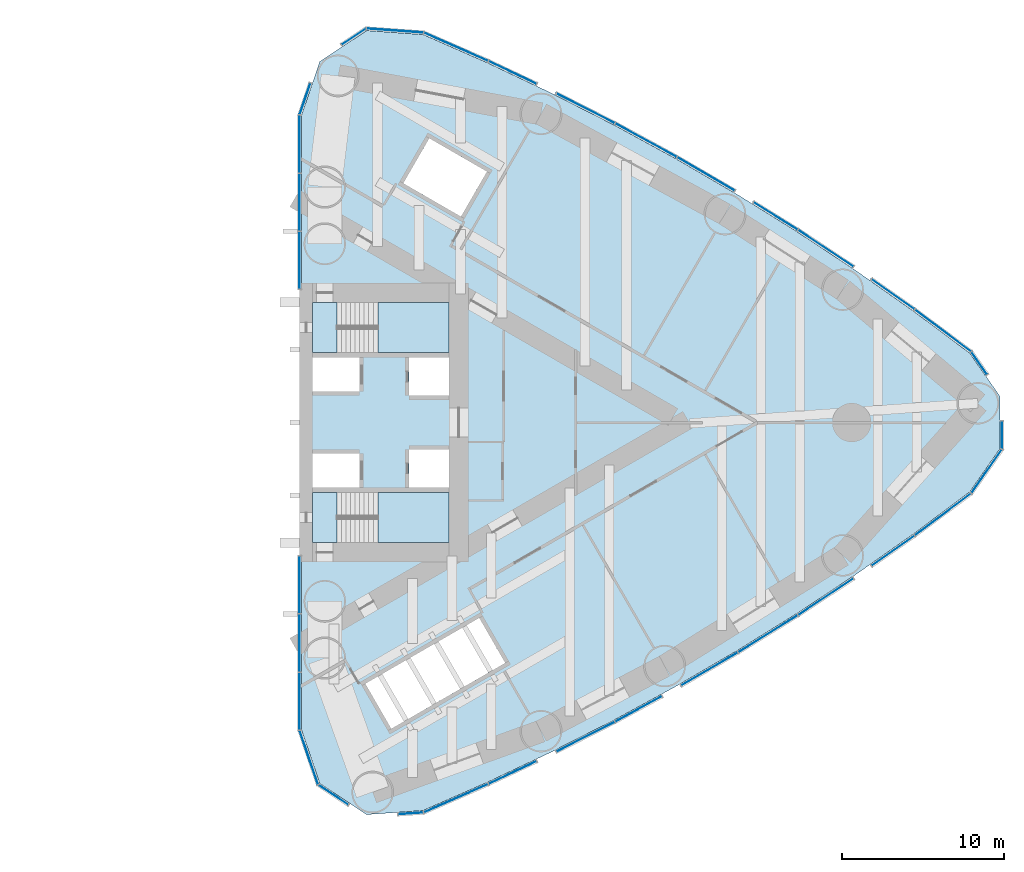
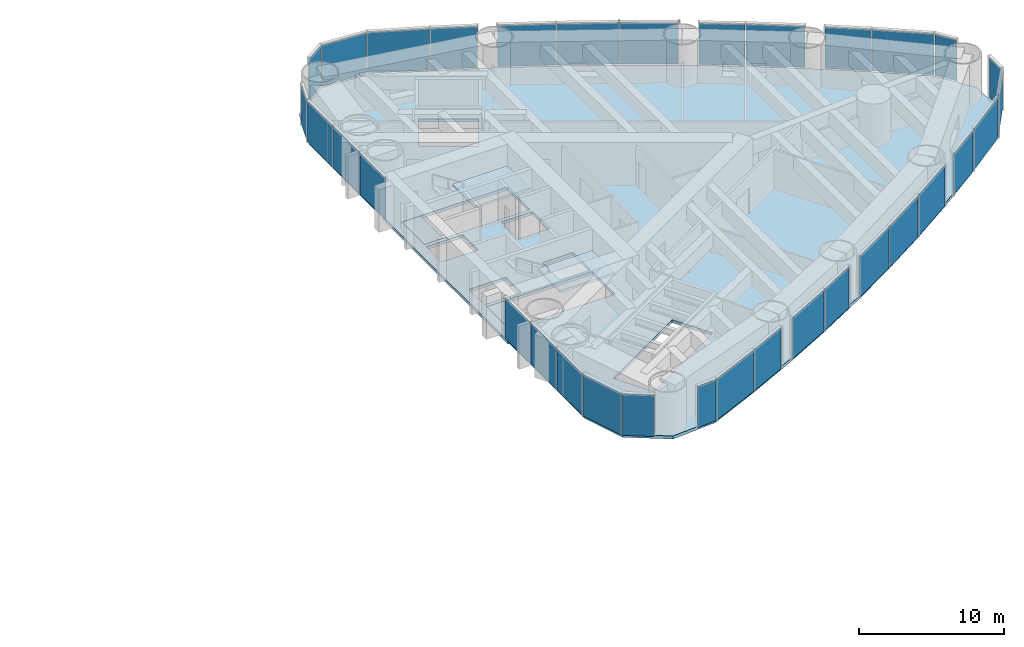
# One storey, part 10 of 16: 33 plates, 5 slabs, 12 elements without a shape of their own.
"""IFC4 building model written with IfcOpenShell, lengths in metres."""

from ifc_helpers import new_model, si_unit, direction, frame, origin, origin_2d, place, context, subcontext, project, spatial, polyline, rectangle, outline, extrude, material, layer, layer_set, type_object, element, aggregate, save


model = new_model("IFC4")

# Units and contexts
model_context = context("Model", 3, precision=1e-05, world=origin(), true_north=direction((0.0, 1.0)))
body_context = subcontext(model_context, "Body", "Model", "MODEL_VIEW")
ifc_project = project(units=[si_unit("LENGTHUNIT", "METRE"), si_unit("AREAUNIT", "SQUARE_METRE"), si_unit("VOLUMEUNIT", "CUBIC_METRE"), si_unit("PLANEANGLEUNIT", "RADIAN"), si_unit("MASSUNIT", "GRAM", prefix="KILO")], contexts=[model_context])

# Site, building, storey
site_placement = place(None, origin())
site = spatial("IfcSite", under=ifc_project, at=site_placement, CompositionType="ELEMENT")
building_placement = place(site_placement, origin())
building = spatial("IfcBuilding", under=site, at=building_placement, Name="Lancet Gate Hotel", CompositionType="ELEMENT")
storey_placement = place(building_placement, frame((0.0, 0.0, 143.10009765625)))
storey = spatial("IfcBuildingStorey", under=building, at=storey_placement, Name="L38", CompositionType="ELEMENT", Elevation=143.10009765625)

# Slab
ifc_material_1 = material(Name="Concrete C50/60", Category="concrete")
ifc_layer_1 = layer(ifc_material_1, 0.25)
ifc_layer_set_1 = layer_set([ifc_layer_1], Name="Floor slab 250")
slab_type_1 = type_object("IfcSlabType", Name="Floor slab 250", PredefinedType="FLOOR", material=ifc_layer_set_1)
slab_1_placement = place(storey_placement, frame((0.0, 0.0, -0.25)))
element("IfcSlab", 1, at=slab_1_placement, inside=storey, type_object=slab_type_1, Name="T2 L38 floor slab", PredefinedType="FLOOR", context=body_context, shape_type="SweptSolid", body=[
    extrude(outline(polyline([(27.5, -8.60009765625), (27.6201171875, -8.60009765625), (27.6201171875, -18.923095703125), (28.7451171875, -22.22412109375), (31.63427734375, -24.1396484375), (35.112060546875, -23.890869140625), (39.0712890625, -22.150634765625), (42.996826171875, -20.29052734375), (46.867919921875, -18.31982421875), (50.681640625, -16.23974609375), (54.4345703125, -14.052490234375), (58.123779296875, -11.75927734375), (61.74658203125, -9.362548828125), (65.2998046875, -6.863525390625), (68.7666015625, -4.275390625), (70.627197265625, -1.6142578125), (70.627197265625, 1.6142578125), (68.7666015625, 4.275390625), (65.2998046875, 6.863525390625), (61.74658203125, 9.362548828125), (58.123779296875, 11.75927734375), (54.4345703125, 14.052490234375), (50.681640625, 16.23974609375), (46.867919921875, 18.31982421875), (42.996826171875, 20.29052734375), (39.0712890625, 22.150634765625), (35.112060546875, 23.890869140625), (31.63427734375, 24.1396484375), (28.7451171875, 22.22412109375), (27.6201171875, 18.923095703125), (27.6201171875, 8.60009765625), (27.5, 8.60009765625), (27.5, 8.199951171875), (27.5, -8.199951171875), (27.5, -8.60009765625)]), holes=[polyline([(36.699951171875, -7.39990234375), (36.699951171875, -4.300048828125), (28.300048828125, -4.300048828125), (28.300048828125, -7.39990234375), (36.699951171875, -7.39990234375)]), polyline([(28.300048828125, -4.0), (31.199951171875, -4.0), (31.199951171875, -1.89990234375), (28.300048828125, -1.89990234375), (28.300048828125, -4.0)]), polyline([(34.25, -4.0), (36.699951171875, -4.0), (36.699951171875, -1.64990234375), (34.25, -1.64990234375), (34.25, -4.0)]), polyline([(36.699951171875, 1.64990234375), (36.699951171875, 4.0), (34.25, 4.0), (34.25, 1.64990234375), (36.699951171875, 1.64990234375)]), polyline([(28.300048828125, 1.89990234375), (31.199951171875, 1.89990234375), (31.199951171875, 4.0), (28.300048828125, 4.0), (28.300048828125, 1.89990234375)]), polyline([(28.300048828125, 4.300048828125), (36.699951171875, 4.300048828125), (36.699951171875, 7.39990234375), (28.300048828125, 7.39990234375), (28.300048828125, 4.300048828125)]), polyline([(31.549072265625, -16.0810546875), (33.14892578125, -18.85205078125), (40.1640625, -14.802001953125), (38.56396484375, -12.031005859375), (31.549072265625, -16.0810546875)]), polyline([(33.887939453125, 14.73095703125), (37.43798828125, 12.680908203125), (39.0380859375, 15.451904296875), (35.488037109375, 17.501953125), (33.887939453125, 14.73095703125)])]), origin(), (0.0, 0.0, 1.0), 0.25),
])

# Stair, slabs
ifc_material_2 = material(Name="Exit stair 20 risers 1500")
stair_type = type_object("IfcStairType", Name="Exit stair 20 risers 1500", PredefinedType="HALF_TURN_STAIR", material=ifc_material_2)
stair_1_placement = place(storey_placement, origin())
stair_1 = element("IfcStair", 2, at=stair_1_placement, inside=storey, type_object=stair_type, Name="T2 stair 1 L38", PredefinedType="HALF_TURN_STAIR")
ifc_material_3 = material(Name="Concrete C40/50", Category="concrete")
ifc_layer_2 = layer(ifc_material_3, 0.199951171875)
ifc_layer_set_2 = layer_set([ifc_layer_2], Name="Stair landing 200")
slab_type_2 = type_object("IfcSlabType", Name="Stair landing 200", PredefinedType="LANDING", material=ifc_layer_set_2)
slab_2_placement = place(storey_placement, frame((0.0, 0.0, -0.2001953125)))
slab_2 = element("IfcSlab", 3, at=slab_2_placement, type_object=slab_type_2, Name="ST3 landing 1", PredefinedType="LANDING", context=body_context, shape_type="SweptSolid", body=[
    extrude(outline(polyline([(28.300048828125, -7.39990234375), (29.800048828125, -7.39990234375), (29.800048828125, -4.300048828125), (28.300048828125, -4.300048828125), (28.300048828125, -7.39990234375)])), origin(), (0.0, 0.0, 1.0), 0.2001953125),
])
slab_3_placement = place(storey_placement, frame((0.0, 0.0, 1.599853515625)))
slab_3 = element("IfcSlab", 4, at=slab_3_placement, type_object=slab_type_2, Name="ST3 landing 2", PredefinedType="LANDING", context=body_context, shape_type="SweptSolid", body=[
    extrude(outline(polyline([(32.320068359375, -7.39990234375), (36.699951171875, -7.39990234375), (36.699951171875, -4.300048828125), (32.320068359375, -4.300048828125), (32.320068359375, -7.39990234375)])), origin(), (0.0, 0.0, 1.0), 0.199951171875),
])
aggregate(stair_1, [slab_2, slab_3])

stair_2_placement = place(storey_placement, origin())
stair_2 = element("IfcStair", 5, at=stair_2_placement, inside=storey, type_object=stair_type, Name="T2 stair 2 L38", PredefinedType="HALF_TURN_STAIR")
slab_4_placement = place(storey_placement, frame((0.0, 0.0, -0.2001953125)))
slab_4 = element("IfcSlab", 6, at=slab_4_placement, type_object=slab_type_2, Name="ST4 landing 1", PredefinedType="LANDING", context=body_context, shape_type="SweptSolid", body=[
    extrude(outline(polyline([(28.300048828125, 4.300048828125), (29.800048828125, 4.300048828125), (29.800048828125, 7.39990234375), (28.300048828125, 7.39990234375), (28.300048828125, 4.300048828125)])), origin(), (0.0, 0.0, 1.0), 0.2001953125),
])
slab_5_placement = place(storey_placement, frame((0.0, 0.0, 1.599853515625)))
slab_5 = element("IfcSlab", 7, at=slab_5_placement, type_object=slab_type_2, Name="ST4 landing 2", PredefinedType="LANDING", context=body_context, shape_type="SweptSolid", body=[
    extrude(outline(polyline([(32.320068359375, 4.300048828125), (36.699951171875, 4.300048828125), (36.699951171875, 7.39990234375), (32.320068359375, 7.39990234375), (32.320068359375, 4.300048828125)])), origin(), (0.0, 0.0, 1.0), 0.199951171875),
])
aggregate(stair_2, [slab_4, slab_5])

# Curtain wall, plates
ifc_material_4 = material(Name="Aluminium curtain wall", Category="aluminium")
curtain_wall_type = type_object("IfcCurtainWallType", Name="Tower unitised curtain wall", PredefinedType="USERDEFINED", material=ifc_material_4)
curtain_wall_1_placement = place(storey_placement, origin())
curtain_wall_1 = element("IfcCurtainWall", 8, at=curtain_wall_1_placement, inside=storey, type_object=curtain_wall_type, Name="T2 L38 curtain wall 1", ObjectType="UNITISED CURTAIN WALL", PredefinedType="USERDEFINED")
ifc_material_5 = material(Name="Glass double glazed unit 8-16-6", Category="glass")
ifc_layer_3 = layer(ifc_material_5, 0.030029296875)
ifc_layer_set_3 = layer_set([ifc_layer_3], Name="Vision panel double glazed")
plate_type = type_object("IfcPlateType", Name="Vision panel double glazed", PredefinedType="CURTAIN_PANEL", material=ifc_layer_set_3)
plate_1_placement = place(storey_placement, frame((27.5, -9.990478515625, 0.0), z_axis=(0.0, 0.0, 1.0), x_axis=(0.0, -1.0, 0.0)))
plate_1 = element("IfcPlate", 9, at=plate_1_placement, type_object=plate_type, Name="T2 L38 curtain wall 1 panel 1", PredefinedType="CURTAIN_PANEL", context=body_context, shape_type="SweptSolid", body=[
    extrude(rectangle(XDim=3.515869140625, YDim=0.030029296875, at=origin_2d()), origin(), (0.0, 0.0, 1.0), 3.449951171875),
])
plate_2_placement = place(storey_placement, frame((27.5, -13.571533203125, 0.0), z_axis=(0.0, 0.0, 1.0), x_axis=(0.0, -1.0, 0.0)))
plate_2 = element("IfcPlate", 10, at=plate_2_placement, type_object=plate_type, Name="T2 L38 curtain wall 1 panel 2", PredefinedType="CURTAIN_PANEL", context=body_context, shape_type="SweptSolid", body=[
    extrude(rectangle(XDim=3.515869140625, YDim=0.030029296875, at=origin_2d()), origin(), (0.0, 0.0, 1.0), 3.449951171875),
])
plate_3_placement = place(storey_placement, frame((27.5, -17.15234375, 0.0), z_axis=(0.0, 0.0, 1.0), x_axis=(0.0, -1.0, 0.0)))
plate_3 = element("IfcPlate", 11, at=plate_3_placement, type_object=plate_type, Name="T2 L38 curtain wall 1 panel 3", PredefinedType="CURTAIN_PANEL", context=body_context, shape_type="SweptSolid", body=[
    extrude(rectangle(XDim=3.515869140625, YDim=0.030029296875, at=origin_2d()), origin(), (0.0, 0.0, 1.0), 3.449951171875),
])
plate_4_placement = place(storey_placement, frame((28.072265625, -20.622314453125, 0.0), z_axis=(0.0, 0.0, 1.0), x_axis=(0.32257568891, -0.946543673015, 0.0)))
plate_4 = element("IfcPlate", 12, at=plate_4_placement, type_object=plate_type, Name="T2 L38 curtain wall 1 panel 4", PredefinedType="CURTAIN_PANEL", context=body_context, shape_type="SweptSolid", body=[
    extrude(rectangle(XDim=3.4833984375, YDim=0.030029296875, at=origin_2d()), origin(), (0.0, 0.0, 1.0), 3.449951171875),
])
plate_5_placement = place(storey_placement, frame((29.58544921875, -22.92529296875, 0.0), z_axis=(0.0, 0.0, 1.0), x_axis=(0.833464516611, -0.552572981198, 0.0)))
plate_5 = element("IfcPlate", 13, at=plate_5_placement, type_object=plate_type, Name="T2 L38 curtain wall 1 panel 5", PredefinedType="CURTAIN_PANEL", context=body_context, shape_type="SweptSolid", body=[
    extrude(rectangle(XDim=2.192626953125, YDim=0.030029296875, at=origin_2d()), origin(), (0.0, 0.0, 1.0), 3.449951171875),
])
aggregate(curtain_wall_1, [plate_1, plate_2, plate_3, plate_4, plate_5])

curtain_wall_2_placement = place(storey_placement, origin())
curtain_wall_2 = element("IfcCurtainWall", 14, at=curtain_wall_2_placement, inside=storey, type_object=curtain_wall_type, Name="T2 L38 curtain wall 2", ObjectType="UNITISED CURTAIN WALL", PredefinedType="USERDEFINED")
plate_6_placement = place(storey_placement, frame((34.34521484375, -24.06591796875, 0.0), z_axis=(0.0, 0.0, 1.0), x_axis=(0.997448492935, 0.07138980278, 0.0)))
plate_6 = element("IfcPlate", 15, at=plate_6_placement, type_object=plate_type, Name="T2 L38 curtain wall 2 panel 1", PredefinedType="CURTAIN_PANEL", context=body_context, shape_type="SweptSolid", body=[
    extrude(rectangle(XDim=1.531005859375, YDim=0.030029296875, at=origin_2d()), origin(), (0.0, 0.0, 1.0), 3.449951171875),
])
plate_7_placement = place(storey_placement, frame((37.13134765625, -23.13427734375, 0.0), z_axis=(0.0, 0.0, 1.0), x_axis=(0.915478658759, 0.40236653111, 0.0)))
plate_7 = element("IfcPlate", 16, at=plate_7_placement, type_object=plate_type, Name="T2 L38 curtain wall 2 panel 2", PredefinedType="CURTAIN_PANEL", context=body_context, shape_type="SweptSolid", body=[
    extrude(rectangle(XDim=4.2822265625, YDim=0.030029296875, at=origin_2d()), origin(), (0.0, 0.0, 1.0), 3.449951171875),
])
plate_8_placement = place(storey_placement, frame((40.615478515625, -21.5517578125, 0.0), z_axis=(0.0, 0.0, 1.0), x_axis=(0.903683440096, 0.428201167789, 0.0)))
plate_8 = element("IfcPlate", 17, at=plate_8_placement, type_object=plate_type, Name="T2 L38 curtain wall 2 panel 3", PredefinedType="CURTAIN_PANEL", context=body_context, shape_type="SweptSolid", body=[
    extrude(rectangle(XDim=3.2421875, YDim=0.030029296875, at=origin_2d()), origin(), (0.0, 0.0, 1.0), 3.449951171875),
])
aggregate(curtain_wall_2, [plate_6, plate_7, plate_8])

curtain_wall_3_placement = place(storey_placement, origin())
curtain_wall_3 = element("IfcCurtainWall", 18, at=curtain_wall_3_placement, inside=storey, type_object=curtain_wall_type, Name="T2 L38 curtain wall 3", ObjectType="UNITISED CURTAIN WALL", PredefinedType="USERDEFINED")
plate_9_placement = place(storey_placement, frame((45.109130859375, -19.349853515625, 0.0), z_axis=(0.0, 0.0, 1.0), x_axis=(0.891159350462, 0.453690436403, 0.0)))
plate_9 = element("IfcPlate", 19, at=plate_9_placement, type_object=plate_type, Name="T2 L38 curtain wall 3 panel 1", PredefinedType="CURTAIN_PANEL", context=body_context, shape_type="SweptSolid", body=[
    extrude(rectangle(XDim=4.007568359375, YDim=0.030029296875, at=origin_2d()), origin(), (0.0, 0.0, 1.0), 3.449951171875),
])
plate_10_placement = place(storey_placement, frame((48.378173828125, -17.6328125, 0.0), z_axis=(0.0, 0.0, 1.0), x_axis=(0.877916491224, 0.478813778454, 0.0)))
plate_10 = element("IfcPlate", 20, at=plate_10_placement, type_object=plate_type, Name="T2 L38 curtain wall 3 panel 2", PredefinedType="CURTAIN_PANEL", context=body_context, shape_type="SweptSolid", body=[
    extrude(rectangle(XDim=3.247802734375, YDim=0.030029296875, at=origin_2d()), origin(), (0.0, 0.0, 1.0), 3.449951171875),
])
aggregate(curtain_wall_3, [plate_9, plate_10])

curtain_wall_4_placement = place(storey_placement, origin())
curtain_wall_4 = element("IfcCurtainWall", 21, at=curtain_wall_4_placement, inside=storey, type_object=curtain_wall_type, Name="T2 L38 curtain wall 4", ObjectType="UNITISED CURTAIN WALL", PredefinedType="USERDEFINED")
plate_11_placement = place(storey_placement, frame((52.739013671875, -15.1796875, 0.0), z_axis=(0.0, 0.0, 1.0), x_axis=(0.863965543499, 0.503550930538, 0.0)))
plate_11 = element("IfcPlate", 22, at=plate_11_placement, type_object=plate_type, Name="T2 L38 curtain wall 4 panel 1", PredefinedType="CURTAIN_PANEL", context=body_context, shape_type="SweptSolid", body=[
    extrude(rectangle(XDim=4.00341796875, YDim=0.030029296875, at=origin_2d()), origin(), (0.0, 0.0, 1.0), 3.449951171875),
])
plate_12_placement = place(storey_placement, frame((56.342529296875, -13.0078125, 0.0), z_axis=(0.0, 0.0, 1.0), x_axis=(0.849317759497, 0.527881940781, 0.0)))
plate_12 = element("IfcPlate", 23, at=plate_12_placement, type_object=plate_type, Name="T2 L38 curtain wall 4 panel 2", PredefinedType="CURTAIN_PANEL", context=body_context, shape_type="SweptSolid", body=[
    extrude(rectangle(XDim=4.2822265625, YDim=0.030029296875, at=origin_2d()), origin(), (0.0, 0.0, 1.0), 3.449951171875),
])
plate_13_placement = place(storey_placement, frame((59.90283203125, -10.726318359375, 0.0), z_axis=(0.0, 0.0, 1.0), x_axis=(0.83398495346, 0.551787184885, 0.0)))
plate_13 = element("IfcPlate", 24, at=plate_13_placement, type_object=plate_type, Name="T2 L38 curtain wall 4 panel 3", PredefinedType="CURTAIN_PANEL", context=body_context, shape_type="SweptSolid", body=[
    extrude(rectangle(XDim=4.045654296875, YDim=0.030029296875, at=origin_2d()), origin(), (0.0, 0.0, 1.0), 3.449951171875),
])
aggregate(curtain_wall_4, [plate_11, plate_12, plate_13])

curtain_wall_5_placement = place(storey_placement, origin())
curtain_wall_5 = element("IfcCurtainWall", 25, at=curtain_wall_5_placement, inside=storey, type_object=curtain_wall_type, Name="T2 L38 curtain wall 5", ObjectType="UNITISED CURTAIN WALL", PredefinedType="USERDEFINED")
plate_14_placement = place(storey_placement, frame((64.0390625, -7.89697265625, 0.0), z_axis=(0.0, 0.0, 1.0), x_axis=(0.817979492167, 0.57524738191, 0.0)))
plate_14 = element("IfcPlate", 26, at=plate_14_placement, type_object=plate_type, Name="T2 L38 curtain wall 5 panel 1", PredefinedType="CURTAIN_PANEL", context=body_context, shape_type="SweptSolid", body=[
    extrude(rectangle(XDim=3.189697265625, YDim=0.030029296875, at=origin_2d()), origin(), (0.0, 0.0, 1.0), 3.449951171875),
])
plate_15_placement = place(storey_placement, frame((67.112060546875, -5.660400390625, 0.0), z_axis=(0.0, 0.0, 1.0), x_axis=(0.801314284905, 0.598243609917, 0.0)))
plate_15 = element("IfcPlate", 27, at=plate_15_placement, type_object=plate_type, Name="T2 L38 curtain wall 5 panel 2", PredefinedType="CURTAIN_PANEL", context=body_context, shape_type="SweptSolid", body=[
    extrude(rectangle(XDim=4.2822265625, YDim=0.030029296875, at=origin_2d()), origin(), (0.0, 0.0, 1.0), 3.449951171875),
])
plate_16_placement = place(storey_placement, frame((69.800537109375, -3.006103515625, 0.0), z_axis=(0.0, 0.0, 1.0), x_axis=(0.573025075425, 0.819537834962, 0.0)))
plate_16 = element("IfcPlate", 28, at=plate_16_placement, type_object=plate_type, Name="T2 L38 curtain wall 5 panel 3", PredefinedType="CURTAIN_PANEL", context=body_context, shape_type="SweptSolid", body=[
    extrude(rectangle(XDim=3.2392578125, YDim=0.030029296875, at=origin_2d()), origin(), (0.0, 0.0, 1.0), 3.449951171875),
])
plate_17_placement = place(storey_placement, frame((70.747314453125, -0.77490234375, 0.0), z_axis=(0.0, 0.0, 1.0), x_axis=(0.0, 1.0, 0.0)))
plate_17 = element("IfcPlate", 29, at=plate_17_placement, type_object=plate_type, Name="T2 L38 curtain wall 5 panel 4", PredefinedType="CURTAIN_PANEL", context=body_context, shape_type="SweptSolid", body=[
    extrude(rectangle(XDim=1.689697265625, YDim=0.030029296875, at=origin_2d()), origin(), (0.0, 0.0, 1.0), 3.449951171875),
])
aggregate(curtain_wall_5, [plate_14, plate_15, plate_16, plate_17])

curtain_wall_6_placement = place(storey_placement, origin())
curtain_wall_6 = element("IfcCurtainWall", 30, at=curtain_wall_6_placement, inside=storey, type_object=curtain_wall_type, Name="T2 L38 curtain wall 6", ObjectType="UNITISED CURTAIN WALL", PredefinedType="USERDEFINED")
plate_18_placement = place(storey_placement, frame((69.350341796875, 3.650146484375, 0.0), z_axis=(0.0, 0.0, 1.0), x_axis=(-0.573025075425, 0.819537834962, 0.0)))
plate_18 = element("IfcPlate", 31, at=plate_18_placement, type_object=plate_type, Name="T2 L38 curtain wall 6 panel 1", PredefinedType="CURTAIN_PANEL", context=body_context, shape_type="SweptSolid", body=[
    extrude(rectangle(XDim=1.66748046875, YDim=0.030029296875, at=origin_2d()), origin(), (0.0, 0.0, 1.0), 3.449951171875),
])
plate_19_placement = place(storey_placement, frame((67.112060546875, 5.660400390625, 0.0), z_axis=(0.0, 0.0, 1.0), x_axis=(-0.801314284905, 0.598243609917, 0.0)))
plate_19 = element("IfcPlate", 32, at=plate_19_placement, type_object=plate_type, Name="T2 L38 curtain wall 6 panel 2", PredefinedType="CURTAIN_PANEL", context=body_context, shape_type="SweptSolid", body=[
    extrude(rectangle(XDim=4.2822265625, YDim=0.030029296875, at=origin_2d()), origin(), (0.0, 0.0, 1.0), 3.449951171875),
])
plate_20_placement = place(storey_placement, frame((64.0390625, 7.89697265625, 0.0), z_axis=(0.0, 0.0, 1.0), x_axis=(-0.817979492167, 0.57524738191, 0.0)))
plate_20 = element("IfcPlate", 33, at=plate_20_placement, type_object=plate_type, Name="T2 L38 curtain wall 6 panel 3", PredefinedType="CURTAIN_PANEL", context=body_context, shape_type="SweptSolid", body=[
    extrude(rectangle(XDim=3.189697265625, YDim=0.030029296875, at=origin_2d()), origin(), (0.0, 0.0, 1.0), 3.449951171875),
])
aggregate(curtain_wall_6, [plate_18, plate_19, plate_20])

curtain_wall_7_placement = place(storey_placement, origin())
curtain_wall_7 = element("IfcCurtainWall", 34, at=curtain_wall_7_placement, inside=storey, type_object=curtain_wall_type, Name="T2 L38 curtain wall 7", ObjectType="UNITISED CURTAIN WALL", PredefinedType="USERDEFINED")
plate_21_placement = place(storey_placement, frame((59.90283203125, 10.726318359375, 0.0), z_axis=(0.0, 0.0, 1.0), x_axis=(-0.83398495346, 0.551787184885, 0.0)))
plate_21 = element("IfcPlate", 35, at=plate_21_placement, type_object=plate_type, Name="T2 L38 curtain wall 7 panel 1", PredefinedType="CURTAIN_PANEL", context=body_context, shape_type="SweptSolid", body=[
    extrude(rectangle(XDim=4.045654296875, YDim=0.030029296875, at=origin_2d()), origin(), (0.0, 0.0, 1.0), 3.449951171875),
])
plate_22_placement = place(storey_placement, frame((56.81298828125, 12.71533203125, 0.0), z_axis=(0.0, 0.0, 1.0), x_axis=(-0.849317759497, 0.527881940781, 0.0)))
plate_22 = element("IfcPlate", 36, at=plate_22_placement, type_object=plate_type, Name="T2 L38 curtain wall 7 panel 2", PredefinedType="CURTAIN_PANEL", context=body_context, shape_type="SweptSolid", body=[
    extrude(rectangle(XDim=3.17431640625, YDim=0.030029296875, at=origin_2d()), origin(), (0.0, 0.0, 1.0), 3.449951171875),
])
aggregate(curtain_wall_7, [plate_21, plate_22])

curtain_wall_8_placement = place(storey_placement, origin())
curtain_wall_8 = element("IfcCurtainWall", 37, at=curtain_wall_8_placement, inside=storey, type_object=curtain_wall_type, Name="T2 L38 curtain wall 8", ObjectType="UNITISED CURTAIN WALL", PredefinedType="USERDEFINED")
plate_23_placement = place(storey_placement, frame((52.52099609375, 15.306640625, 0.0), z_axis=(0.0, 0.0, 1.0), x_axis=(-0.863965543499, 0.503550930538, 0.0)))
plate_23 = element("IfcPlate", 38, at=plate_23_placement, type_object=plate_type, Name="T2 L38 curtain wall 8 panel 1", PredefinedType="CURTAIN_PANEL", context=body_context, shape_type="SweptSolid", body=[
    extrude(rectangle(XDim=4.056884765625, YDim=0.030029296875, at=origin_2d()), origin(), (0.0, 0.0, 1.0), 3.449951171875),
])
plate_24_placement = place(storey_placement, frame((48.832275390625, 17.38525390625, 0.0), z_axis=(0.0, 0.0, 1.0), x_axis=(-0.877916491224, 0.478813778454, 0.0)))
plate_24 = element("IfcPlate", 39, at=plate_24_placement, type_object=plate_type, Name="T2 L38 curtain wall 8 panel 2", PredefinedType="CURTAIN_PANEL", context=body_context, shape_type="SweptSolid", body=[
    extrude(rectangle(XDim=4.2822265625, YDim=0.030029296875, at=origin_2d()), origin(), (0.0, 0.0, 1.0), 3.449951171875),
])
plate_25_placement = place(storey_placement, frame((45.109130859375, 19.349853515625, 0.0), z_axis=(0.0, 0.0, 1.0), x_axis=(-0.891159350462, 0.453690436403, 0.0)))
plate_25 = element("IfcPlate", 40, at=plate_25_placement, type_object=plate_type, Name="T2 L38 curtain wall 8 panel 3", PredefinedType="CURTAIN_PANEL", context=body_context, shape_type="SweptSolid", body=[
    extrude(rectangle(XDim=4.007568359375, YDim=0.030029296875, at=origin_2d()), origin(), (0.0, 0.0, 1.0), 3.449951171875),
])
aggregate(curtain_wall_8, [plate_23, plate_24, plate_25])

curtain_wall_9_placement = place(storey_placement, origin())
curtain_wall_9 = element("IfcCurtainWall", 41, at=curtain_wall_9_placement, inside=storey, type_object=curtain_wall_type, Name="T2 L38 curtain wall 9", ObjectType="UNITISED CURTAIN WALL", PredefinedType="USERDEFINED")
plate_26_placement = place(storey_placement, frame((40.615478515625, 21.5517578125, 0.0), z_axis=(0.0, 0.0, 1.0), x_axis=(-0.903683440096, 0.428201167789, 0.0)))
plate_26 = element("IfcPlate", 42, at=plate_26_placement, type_object=plate_type, Name="T2 L38 curtain wall 9 panel 1", PredefinedType="CURTAIN_PANEL", context=body_context, shape_type="SweptSolid", body=[
    extrude(rectangle(XDim=3.2421875, YDim=0.030029296875, at=origin_2d()), origin(), (0.0, 0.0, 1.0), 3.449951171875),
])
plate_27_placement = place(storey_placement, frame((37.13134765625, 23.13427734375, 0.0), z_axis=(0.0, 0.0, 1.0), x_axis=(-0.915478658759, 0.40236653111, 0.0)))
plate_27 = element("IfcPlate", 43, at=plate_27_placement, type_object=plate_type, Name="T2 L38 curtain wall 9 panel 2", PredefinedType="CURTAIN_PANEL", context=body_context, shape_type="SweptSolid", body=[
    extrude(rectangle(XDim=4.2822265625, YDim=0.030029296875, at=origin_2d()), origin(), (0.0, 0.0, 1.0), 3.449951171875),
])
plate_28_placement = place(storey_placement, frame((33.37158203125, 24.1357421875, 0.0), z_axis=(0.0, 0.0, 1.0), x_axis=(-0.997448492935, 0.07138980278, 0.0)))
plate_28 = element("IfcPlate", 44, at=plate_28_placement, type_object=plate_type, Name="T2 L38 curtain wall 9 panel 3", PredefinedType="CURTAIN_PANEL", context=body_context, shape_type="SweptSolid", body=[
    extrude(rectangle(XDim=3.4833984375, YDim=0.030029296875, at=origin_2d()), origin(), (0.0, 0.0, 1.0), 3.449951171875),
])
plate_29_placement = place(storey_placement, frame((30.837158203125, 23.755126953125, 0.0), z_axis=(0.0, 0.0, 1.0), x_axis=(-0.833464516611, -0.552572981198, 0.0)))
plate_29 = element("IfcPlate", 45, at=plate_29_placement, type_object=plate_type, Name="T2 L38 curtain wall 9 panel 4", PredefinedType="CURTAIN_PANEL", context=body_context, shape_type="SweptSolid", body=[
    extrude(rectangle(XDim=1.7705078125, YDim=0.030029296875, at=origin_2d()), origin(), (0.0, 0.0, 1.0), 3.449951171875),
])
aggregate(curtain_wall_9, [plate_26, plate_27, plate_28, plate_29])

curtain_wall_10_placement = place(storey_placement, origin())
curtain_wall_10 = element("IfcCurtainWall", 46, at=curtain_wall_10_placement, inside=storey, type_object=curtain_wall_type, Name="T2 L38 curtain wall 10", ObjectType="UNITISED CURTAIN WALL", PredefinedType="USERDEFINED")
plate_30_placement = place(storey_placement, frame((27.838134765625, 19.93505859375, 0.0), z_axis=(0.0, 0.0, 1.0), x_axis=(-0.32257568891, -0.946543673015, 0.0)))
plate_30 = element("IfcPlate", 47, at=plate_30_placement, type_object=plate_type, Name="T2 L38 curtain wall 10 panel 1", PredefinedType="CURTAIN_PANEL", context=body_context, shape_type="SweptSolid", body=[
    extrude(rectangle(XDim=2.031005859375, YDim=0.030029296875, at=origin_2d()), origin(), (0.0, 0.0, 1.0), 3.449951171875),
])
plate_31_placement = place(storey_placement, frame((27.5, 17.15234375, 0.0), z_axis=(0.0, 0.0, 1.0), x_axis=(0.0, -1.0, 0.0)))
plate_31 = element("IfcPlate", 48, at=plate_31_placement, type_object=plate_type, Name="T2 L38 curtain wall 10 panel 2", PredefinedType="CURTAIN_PANEL", context=body_context, shape_type="SweptSolid", body=[
    extrude(rectangle(XDim=3.515869140625, YDim=0.030029296875, at=origin_2d()), origin(), (0.0, 0.0, 1.0), 3.449951171875),
])
plate_32_placement = place(storey_placement, frame((27.5, 13.571533203125, 0.0), z_axis=(0.0, 0.0, 1.0), x_axis=(0.0, -1.0, 0.0)))
plate_32 = element("IfcPlate", 49, at=plate_32_placement, type_object=plate_type, Name="T2 L38 curtain wall 10 panel 3", PredefinedType="CURTAIN_PANEL", context=body_context, shape_type="SweptSolid", body=[
    extrude(rectangle(XDim=3.515869140625, YDim=0.030029296875, at=origin_2d()), origin(), (0.0, 0.0, 1.0), 3.449951171875),
])
plate_33_placement = place(storey_placement, frame((27.5, 9.990478515625, 0.0), z_axis=(0.0, 0.0, 1.0), x_axis=(0.0, -1.0, 0.0)))
plate_33 = element("IfcPlate", 50, at=plate_33_placement, type_object=plate_type, Name="T2 L38 curtain wall 10 panel 4", PredefinedType="CURTAIN_PANEL", context=body_context, shape_type="SweptSolid", body=[
    extrude(rectangle(XDim=3.515869140625, YDim=0.030029296875, at=origin_2d()), origin(), (0.0, 0.0, 1.0), 3.449951171875),
])
aggregate(curtain_wall_10, [plate_30, plate_31, plate_32, plate_33])

save(model, "model.ifc")
